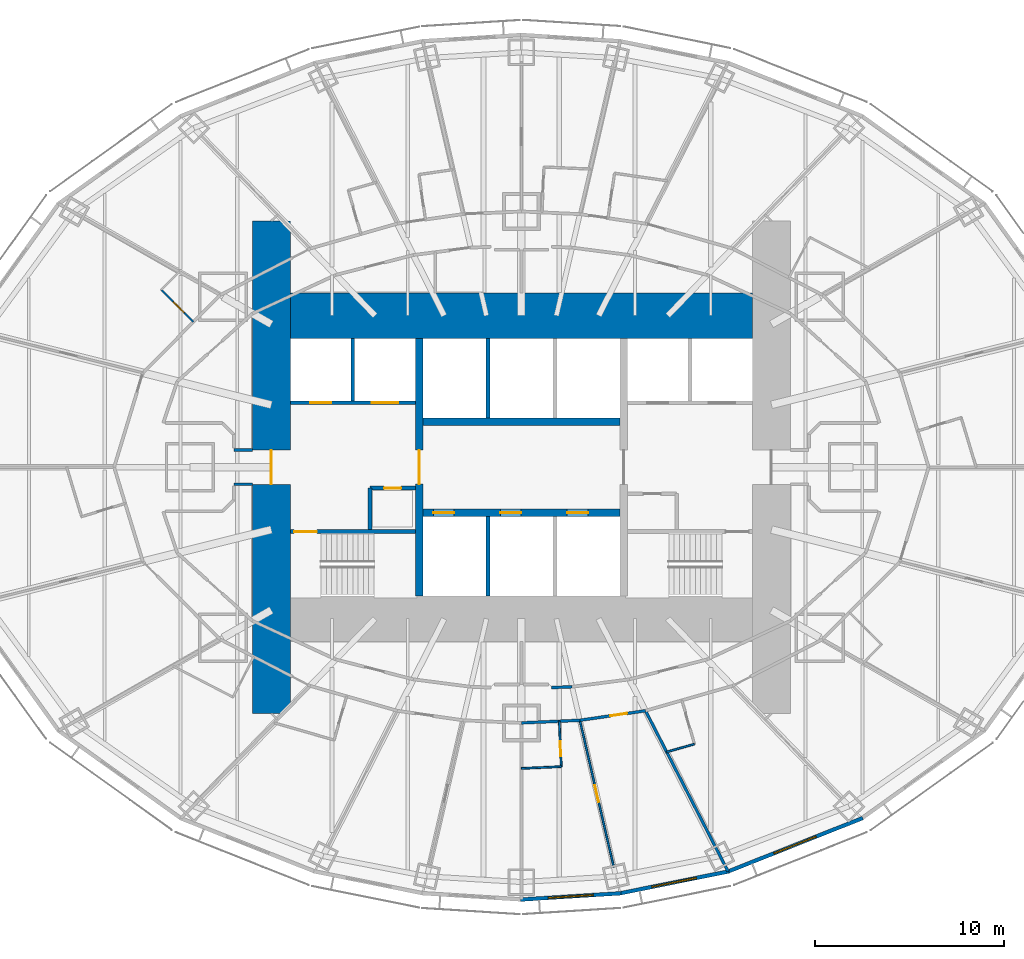
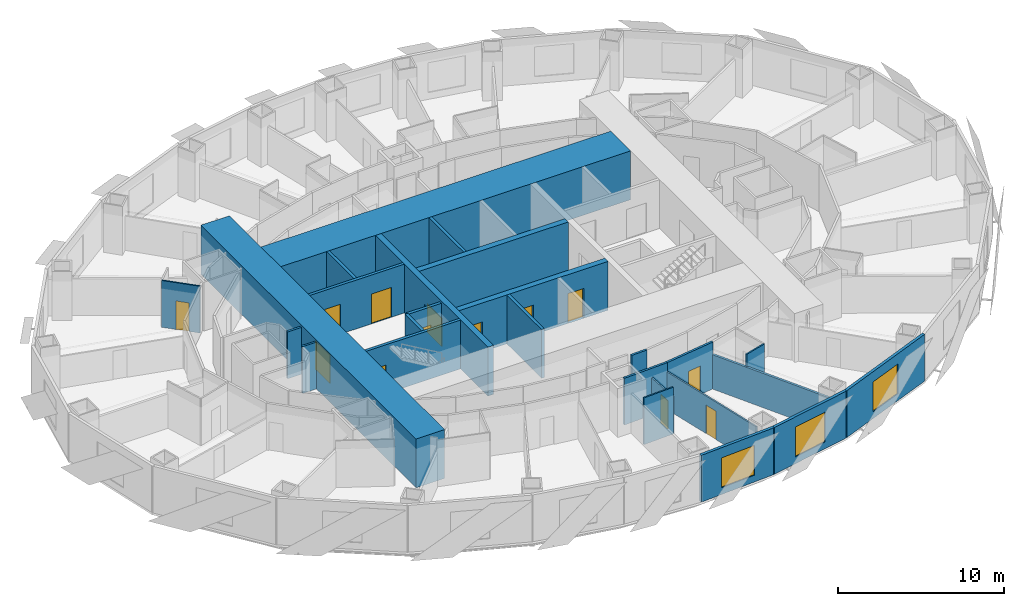
# One storey, part 6 of 15: 26 walls, 13 doors, 3 windows, 16 openings.
"""IFC4 building model written with IfcOpenShell, lengths in metres."""

from ifc_helpers import new_model, si_unit, direction, frame, frame_2d, origin, place, context, subcontext, project, spatial, rectangle, extrude, material, layer, layer_set, type_object, element, fill, save


model = new_model("IFC4")

# Units and contexts
model_context = context("Model", 3, precision=1e-05, world=origin(), true_north=direction((0.0, 1.0)))
body_context = subcontext(model_context, "Body", "Model", "MODEL_VIEW")
ifc_project = project(units=[si_unit("LENGTHUNIT", "METRE"), si_unit("AREAUNIT", "SQUARE_METRE"), si_unit("VOLUMEUNIT", "CUBIC_METRE"), si_unit("PLANEANGLEUNIT", "RADIAN"), si_unit("MASSUNIT", "GRAM", prefix="KILO")], contexts=[model_context])

# Site, building, storey
site_placement = place(None, origin())
site = spatial("IfcSite", under=ifc_project, at=site_placement, CompositionType="ELEMENT")
building_placement = place(site_placement, origin())
building = spatial("IfcBuilding", under=site, at=building_placement, Name="Lantaw Convention Tower", CompositionType="ELEMENT")
storey_placement = place(building_placement, frame((0.0, 0.0, 51.39990234375)))
storey = spatial("IfcBuildingStorey", under=building, at=storey_placement, Name="L10", CompositionType="ELEMENT", Elevation=51.39990234375)

# Wall, opening, door
ifc_material_1 = material(Name="Moisture resistant gypsum board on steel studs", Category="steel")
ifc_layer_1 = layer(ifc_material_1, 0.10009765625)
ifc_layer_set_1 = layer_set([ifc_layer_1], Name="Bathroom wall 100")
wall_type_1 = type_object("IfcWallType", Name="Bathroom wall 100", PredefinedType="PARTITIONING", material=ifc_layer_set_1)
wall_1_placement = place(storey_placement, frame((-17.311279296875, 7.668212890625, 0.0), z_axis=(0.0, 0.0, 1.0), x_axis=(-0.709138392716, 0.705069315724, 0.0)))
wall_1 = element("IfcWall", 1, at=wall_1_placement, inside=storey, type_object=wall_type_1, Name="Bathroom wall 100", PredefinedType="PARTITIONING", context=body_context, shape_type="SweptSolid", body=[
    extrude(rectangle(XDim=2.39990234375, YDim=0.10009765625, at=frame_2d((1.199951171875, 0.0))), origin(), (0.0, 0.0, 1.0), 3.4501953125),
])
opening_1_placement = place(wall_1_placement, frame((0.699951171875, 0.0, 0.0)))
opening_1 = element("IfcOpeningElement", 2, at=opening_1_placement, cuts=wall_1, Name="Opening L10.41", PredefinedType="OPENING", context=body_context, shape_type="SweptSolid", body=[
    extrude(rectangle(XDim=0.800048828125, YDim=2.10009765625, at=frame_2d((0.39990234375, 1.050048828125))), frame((0.0, 0.06005859375, 0.0), z_axis=(0.0, -1.0, 0.0), x_axis=(1.0, 0.0, 0.0)), (0.0, 0.0, 1.0), 0.1201171875),
])
ifc_material_2 = material(Name="Timber", Category="wood")
door_type_1 = type_object("IfcDoorType", Name="Bathroom door 800", OperationType="SINGLE_SWING_LEFT", PredefinedType="DOOR", material=ifc_material_2)
door_1_placement = place(opening_1_placement, origin())
door_1 = element("IfcDoor", 3, at=door_1_placement, inside=storey, type_object=door_type_1, Name="Bathroom door", OperationType="SINGLE_SWING_LEFT", OverallHeight=2.10009765625, OverallWidth=0.800048828125, PredefinedType="DOOR", context=body_context, shape_type="SweptSolid", body=[
    extrude(rectangle(XDim=0.800048828125, YDim=2.10009765625, at=frame_2d((0.39990234375, 1.050048828125))), frame((0.0, 0.02490234375, 0.0), z_axis=(0.0, -1.0, 0.0), x_axis=(1.0, 0.0, 0.0)), (0.0, 0.0, 1.0), 0.050048828125),
])
fill(opening_1, door_1)

wall_2_placement = place(storey_placement, frame((1.998046875, -13.409423828125, 0.0), z_axis=(0.0, 0.0, 1.0), x_axis=(0.045163115153, -0.998979625933, 0.0)))
wall_2 = element("IfcWall", 4, at=wall_2_placement, inside=storey, type_object=wall_type_1, Name="Bathroom wall 100", PredefinedType="PARTITIONING", context=body_context, shape_type="SweptSolid", body=[
    extrude(rectangle(XDim=2.400146484375, YDim=0.10009765625, at=frame_2d((1.2001953125, 0.0))), origin(), (0.0, 0.0, 1.0), 2.7490234375),
])
opening_2_placement = place(wall_2_placement, frame((1.050048828125, 0.0, 0.0)))
opening_2 = element("IfcOpeningElement", 5, at=opening_2_placement, cuts=wall_2, Name="Opening L10.53", PredefinedType="OPENING", context=body_context, shape_type="SweptSolid", body=[
    extrude(rectangle(XDim=0.800048828125, YDim=2.10009765625, at=frame_2d((0.39990234375, 1.050048828125))), frame((0.0, 0.06005859375, 0.0), z_axis=(0.0, -1.0, 0.0), x_axis=(1.0, 0.0, 0.0)), (0.0, 0.0, 1.0), 0.1201171875),
])
door_2_placement = place(opening_2_placement, origin())
door_2 = element("IfcDoor", 6, at=door_2_placement, inside=storey, type_object=door_type_1, Name="Bathroom door", OperationType="SINGLE_SWING_LEFT", OverallHeight=2.10009765625, OverallWidth=0.800048828125, PredefinedType="DOOR", context=body_context, shape_type="SweptSolid", body=[
    extrude(rectangle(XDim=0.800048828125, YDim=2.10009765625, at=frame_2d((0.39990234375, 1.050048828125))), frame((0.0, 0.02490234375, 0.0), z_axis=(0.0, -1.0, 0.0), x_axis=(1.0, 0.0, 0.0)), (0.0, 0.0, 1.0), 0.050048828125),
])
fill(opening_2, door_2)

# Walls
wall_3_placement = place(storey_placement, frame((2.1064453125, -15.80712890625, 0.0), z_axis=(0.0, 0.0, 1.0), x_axis=(-0.998979967386, -0.045155561808, 0.0)))
element("IfcWall", 7, at=wall_3_placement, inside=storey, type_object=wall_type_1, Name="Bathroom wall 100", PredefinedType="PARTITIONING", context=body_context, shape_type="SweptSolid", body=[
    extrude(rectangle(XDim=2.108642578125, YDim=0.10009765625, at=frame_2d((1.05419921875, 0.0))), origin(), (0.0, 0.0, 1.0), 3.4501953125),
])
wall_4_placement = place(storey_placement, frame((9.13427734375, -14.615478515625, 0.0), z_axis=(0.0, 0.0, 1.0), x_axis=(-0.96145775668, -0.274952690695, 0.0)))
element("IfcWall", 8, at=wall_4_placement, inside=storey, type_object=wall_type_1, Name="Bathroom wall 100", PredefinedType="PARTITIONING", context=body_context, shape_type="SweptSolid", body=[
    extrude(rectangle(XDim=1.53173828125, YDim=0.10009765625, at=frame_2d((0.765869140625, 0.0))), origin(), (0.0, 0.0, 1.0), 3.4501953125),
])

# Wall, opening, door
ifc_material_3 = material(Name="Concrete C60/75", Category="concrete")
ifc_layer_2 = layer(ifc_material_3, 0.199951171875)
ifc_layer_set_2 = layer_set([ifc_layer_2], Name="Core wall 200")
wall_type_2 = type_object("IfcWallType", Name="Core wall 200", PredefinedType="SHEAR", material=ifc_layer_set_2)
wall_5_placement = place(storey_placement, frame((-5.60009765625, -3.39990234375, 0.0), z_axis=(0.0, 0.0, 1.0), x_axis=(-1.0, 0.0, 0.0)))
wall_5 = element("IfcWall", 9, at=wall_5_placement, inside=storey, type_object=wall_type_2, Name="Core wall WS", PredefinedType="SHEAR", context=body_context, shape_type="SweptSolid", body=[
    extrude(rectangle(XDim=6.599853515625, YDim=0.199951171875, at=frame_2d((3.2998046875, 0.0))), origin(), (0.0, 0.0, 1.0), 3.60009765625),
])
opening_3_placement = place(wall_5_placement, frame((5.199951171875, 0.0, 0.0)))
opening_3 = element("IfcOpeningElement", 10, at=opening_3_placement, cuts=wall_5, Name="Opening L10.06", PredefinedType="OPENING", context=body_context, shape_type="SweptSolid", body=[
    extrude(rectangle(XDim=1.199951171875, YDim=2.10009765625, at=frame_2d((0.60009765625, 1.050048828125))), frame((0.0, 0.10986328125, 0.0), z_axis=(0.0, -1.0, 0.0), x_axis=(1.0, 0.0, 0.0)), (0.0, 0.0, 1.0), 0.219970703125),
])
ifc_material_4 = material(Name="Steel, fire rated", Category="steel")
door_type_2 = type_object("IfcDoorType", Name="Stair door FD90", OperationType="SINGLE_SWING_RIGHT", PredefinedType="DOOR", material=ifc_material_4)
door_3_placement = place(opening_3_placement, origin())
door_3 = element("IfcDoor", 11, at=door_3_placement, inside=storey, type_object=door_type_2, Name="Exit stair door", OperationType="SINGLE_SWING_RIGHT", OverallHeight=2.10009765625, OverallWidth=1.199951171875, PredefinedType="DOOR", context=body_context, shape_type="SweptSolid", body=[
    extrude(rectangle(XDim=1.199951171875, YDim=2.10009765625, at=frame_2d((0.60009765625, 1.050048828125))), frame((0.0, 0.02490234375, 0.0), z_axis=(0.0, -1.0, 0.0), x_axis=(1.0, 0.0, 0.0)), (0.0, 0.0, 1.0), 0.050048828125),
])
fill(opening_3, door_3)

ifc_layer_3 = layer(ifc_material_3, 2.0)
ifc_layer_set_3 = layer_set([ifc_layer_3], Name="Core wall 2000")
wall_type_3 = type_object("IfcWallType", Name="Core wall 2000", PredefinedType="SHEAR", material=ifc_layer_set_3)
wall_6_placement = place(storey_placement, frame((-13.199951171875, 13.0, 0.0), z_axis=(0.0, 0.0, 1.0), x_axis=(0.0, -1.0, 0.0)))
wall_6 = element("IfcWall", 12, at=wall_6_placement, inside=storey, type_object=wall_type_3, Name="Core wall W", PredefinedType="SHEAR", context=body_context, shape_type="SweptSolid", body=[
    extrude(rectangle(XDim=26.0, YDim=2.0, at=frame_2d((13.0, 0.0))), origin(), (0.0, 0.0, 1.0), 3.60009765625),
])
opening_4_placement = place(wall_6_placement, frame((12.10009765625, 0.0, 0.0)))
opening_4 = element("IfcOpeningElement", 13, at=opening_4_placement, cuts=wall_6, Name="Opening L10.08", PredefinedType="OPENING", context=body_context, shape_type="SweptSolid", body=[
    extrude(rectangle(XDim=1.800048828125, YDim=2.10009765625, at=frame_2d((0.89990234375, 1.050048828125))), frame((0.0, 1.010009765625, 0.0), z_axis=(0.0, -1.0, 0.0), x_axis=(1.0, 0.0, 0.0)), (0.0, 0.0, 1.0), 2.02001953125),
])
door_type_3 = type_object("IfcDoorType", Name="Lobby double door FD90", OperationType="DOUBLE_DOOR_DOUBLE_SWING", PredefinedType="DOOR", material=ifc_material_4)
door_4_placement = place(opening_4_placement, origin())
door_4 = element("IfcDoor", 14, at=door_4_placement, inside=storey, type_object=door_type_3, Name="Firefighting lobby door", OperationType="DOUBLE_DOOR_DOUBLE_SWING", OverallHeight=2.10009765625, OverallWidth=1.800048828125, PredefinedType="DOOR", context=body_context, shape_type="SweptSolid", body=[
    extrude(rectangle(XDim=1.800048828125, YDim=2.10009765625, at=frame_2d((0.89990234375, 1.050048828125))), frame((0.0, 0.02490234375, 0.0), z_axis=(0.0, -1.0, 0.0), x_axis=(1.0, 0.0, 0.0)), (0.0, 0.0, 1.0), 0.050048828125),
])
fill(opening_4, door_4)

# Wall
ifc_layer_4 = layer(ifc_material_3, 2.39990234375)
ifc_layer_set_4 = layer_set([ifc_layer_4], Name="Core wall 2400")
wall_type_4 = type_object("IfcWallType", Name="Core wall 2400", PredefinedType="SHEAR", material=ifc_layer_set_4)
wall_7_placement = place(storey_placement, frame((12.199951171875, 8.0, 0.0), z_axis=(0.0, 0.0, 1.0), x_axis=(-1.0, 0.0, 0.0)))
element("IfcWall", 15, at=wall_7_placement, inside=storey, type_object=wall_type_4, Name="Core wall N", PredefinedType="SHEAR", context=body_context, shape_type="SweptSolid", body=[
    extrude(rectangle(XDim=24.39990234375, YDim=2.39990234375, at=frame_2d((12.199951171875, 0.0))), origin(), (0.0, 0.0, 1.0), 3.60009765625),
])

# Wall, opening, door
ifc_layer_5 = layer(ifc_material_3, 0.39990234375)
ifc_layer_set_5 = layer_set([ifc_layer_5], Name="Core wall 400")
wall_type_5 = type_object("IfcWallType", Name="Core wall 400", PredefinedType="SHEAR", material=ifc_layer_set_5)
wall_8_placement = place(storey_placement, frame((-5.39990234375, 6.800048828125, 0.0), z_axis=(0.0, 0.0, 1.0), x_axis=(0.0, -1.0, 0.0)))
wall_8 = element("IfcWall", 16, at=wall_8_placement, inside=storey, type_object=wall_type_5, Name="Core wall XW", PredefinedType="SHEAR", context=body_context, shape_type="SweptSolid", body=[
    extrude(rectangle(XDim=13.60009765625, YDim=0.39990234375, at=frame_2d((6.800048828125, 0.0))), origin(), (0.0, 0.0, 1.0), 3.60009765625),
])
opening_5_placement = place(wall_8_placement, frame((5.89990234375, 0.0, 0.0)))
opening_5 = element("IfcOpeningElement", 17, at=opening_5_placement, cuts=wall_8, Name="Opening L10.04", PredefinedType="OPENING", context=body_context, shape_type="SweptSolid", body=[
    extrude(rectangle(XDim=1.800048828125, YDim=2.10009765625, at=frame_2d((0.89990234375, 1.050048828125))), frame((0.0, 0.2099609375, 0.0), z_axis=(0.0, -1.0, 0.0), x_axis=(1.0, 0.0, 0.0)), (0.0, 0.0, 1.0), 0.419921875),
])
door_5_placement = place(opening_5_placement, origin())
door_5 = element("IfcDoor", 18, at=door_5_placement, inside=storey, type_object=door_type_3, Name="Lift lobby door", OperationType="DOUBLE_DOOR_DOUBLE_SWING", OverallHeight=2.10009765625, OverallWidth=1.800048828125, PredefinedType="DOOR", context=body_context, shape_type="SweptSolid", body=[
    extrude(rectangle(XDim=1.800048828125, YDim=2.10009765625, at=frame_2d((0.89990234375, 1.050048828125))), frame((0.0, 0.02490234375, 0.0), z_axis=(0.0, -1.0, 0.0), x_axis=(1.0, 0.0, 0.0)), (0.0, 0.0, 1.0), 0.050048828125),
])
fill(opening_5, door_5)

# Wall, openings, doors
wall_9_placement = place(storey_placement, frame((-5.199951171875, -2.39990234375, 0.0), z_axis=(0.0, 0.0, 1.0), x_axis=(1.0, 0.0, 0.0)))
wall_9 = element("IfcWall", 19, at=wall_9_placement, inside=storey, type_object=wall_type_5, Name="Core wall BS", PredefinedType="SHEAR", context=body_context, shape_type="SweptSolid", body=[
    extrude(rectangle(XDim=10.39990234375, YDim=0.39990234375, at=frame_2d((5.199951171875, 0.0))), origin(), (0.0, 0.0, 1.0), 3.60009765625),
])
opening_6_placement = place(wall_9_placement, frame((0.550048828125, 0.0, 0.0)))
opening_6 = element("IfcOpeningElement", 20, at=opening_6_placement, cuts=wall_9, Name="Opening L10.09", PredefinedType="OPENING", context=body_context, shape_type="SweptSolid", body=[
    extrude(rectangle(XDim=1.10009765625, YDim=2.199951171875, at=frame_2d((0.550048828125, 1.10009765625))), frame((0.0, 0.2099609375, 0.0), z_axis=(0.0, -1.0, 0.0), x_axis=(1.0, 0.0, 0.0)), (0.0, 0.0, 1.0), 0.419921875),
])
opening_7_placement = place(wall_9_placement, frame((4.083251953125, 0.0, 0.0)))
opening_7 = element("IfcOpeningElement", 21, at=opening_7_placement, cuts=wall_9, Name="Opening L10.10", PredefinedType="OPENING", context=body_context, shape_type="SweptSolid", body=[
    extrude(rectangle(XDim=1.10009765625, YDim=2.199951171875, at=frame_2d((0.550048828125, 1.10009765625))), frame((0.0, 0.2099609375, 0.0), z_axis=(0.0, -1.0, 0.0), x_axis=(1.0, 0.0, 0.0)), (0.0, 0.0, 1.0), 0.419921875),
])
opening_8_placement = place(wall_9_placement, frame((7.61669921875, 0.0, 0.0)))
opening_8 = element("IfcOpeningElement", 22, at=opening_8_placement, cuts=wall_9, Name="Opening L10.11", PredefinedType="OPENING", context=body_context, shape_type="SweptSolid", body=[
    extrude(rectangle(XDim=1.10009765625, YDim=2.199951171875, at=frame_2d((0.550048828125, 1.10009765625))), frame((0.0, 0.2099609375, 0.0), z_axis=(0.0, -1.0, 0.0), x_axis=(1.0, 0.0, 0.0)), (0.0, 0.0, 1.0), 0.419921875),
])
ifc_material_5 = material(Name="Stainless steel", Category="steel")
door_type_4 = type_object("IfcDoorType", Name="Lift landing door 1100", OperationType="DOUBLE_DOOR_SLIDING", PredefinedType="DOOR", material=ifc_material_5)
door_6_placement = place(opening_6_placement, origin())
door_6 = element("IfcDoor", 23, at=door_6_placement, inside=storey, type_object=door_type_4, Name="Lift landing door H1", OperationType="DOUBLE_DOOR_SLIDING", OverallHeight=2.199951171875, OverallWidth=1.10009765625, PredefinedType="DOOR", context=body_context, shape_type="SweptSolid", body=[
    extrude(rectangle(XDim=1.10009765625, YDim=2.199951171875, at=frame_2d((0.550048828125, 1.10009765625))), frame((0.0, 0.02490234375, 0.0), z_axis=(0.0, -1.0, 0.0), x_axis=(1.0, 0.0, 0.0)), (0.0, 0.0, 1.0), 0.050048828125),
])
fill(opening_6, door_6)
door_7_placement = place(opening_7_placement, origin())
door_7 = element("IfcDoor", 24, at=door_7_placement, inside=storey, type_object=door_type_4, Name="Lift landing door H2", OperationType="DOUBLE_DOOR_SLIDING", OverallHeight=2.199951171875, OverallWidth=1.10009765625, PredefinedType="DOOR", context=body_context, shape_type="SweptSolid", body=[
    extrude(rectangle(XDim=1.10009765625, YDim=2.199951171875, at=frame_2d((0.550048828125, 1.10009765625))), frame((0.0, 0.02490234375, 0.0), z_axis=(0.0, -1.0, 0.0), x_axis=(1.0, 0.0, 0.0)), (0.0, 0.0, 1.0), 0.050048828125),
])
fill(opening_7, door_7)
door_8_placement = place(opening_8_placement, origin())
door_8 = element("IfcDoor", 25, at=door_8_placement, inside=storey, type_object=door_type_4, Name="Lift landing door H3", OperationType="DOUBLE_DOOR_SLIDING", OverallHeight=2.199951171875, OverallWidth=1.10009765625, PredefinedType="DOOR", context=body_context, shape_type="SweptSolid", body=[
    extrude(rectangle(XDim=1.10009765625, YDim=2.199951171875, at=frame_2d((0.550048828125, 1.10009765625))), frame((0.0, 0.02490234375, 0.0), z_axis=(0.0, -1.0, 0.0), x_axis=(1.0, 0.0, 0.0)), (0.0, 0.0, 1.0), 0.050048828125),
])
fill(opening_8, door_8)

# Walls
wall_10_placement = place(storey_placement, frame((5.199951171875, 2.39990234375, 0.0), z_axis=(0.0, 0.0, 1.0), x_axis=(-1.0, 0.0, 0.0)))
element("IfcWall", 26, at=wall_10_placement, inside=storey, type_object=wall_type_5, Name="Core wall BN", PredefinedType="SHEAR", context=body_context, shape_type="SweptSolid", body=[
    extrude(rectangle(XDim=10.39990234375, YDim=0.39990234375, at=frame_2d((5.199951171875, 0.0))), origin(), (0.0, 0.0, 1.0), 3.60009765625),
])
ifc_material_6 = material(Name="Gypsum board on steel studs, fire rated", Category="steel")
ifc_layer_6 = layer(ifc_material_6, 0.14990234375)
ifc_layer_set_6 = layer_set([ifc_layer_6], Name="Corridor wall 150 EI 60")
wall_type_6 = type_object("IfcWallType", Name="Corridor wall 150 EI 60", PredefinedType="PARTITIONING", material=ifc_layer_set_6)
wall_11_placement = place(storey_placement, frame((0.0, -13.5, 0.0), z_axis=(0.0, 0.0, 1.0), x_axis=(0.998976675711, 0.045228325036, 0.0)))
element("IfcWall", 27, at=wall_11_placement, inside=storey, type_object=wall_type_6, Name="Corridor wall 150", PredefinedType="PARTITIONING", context=body_context, shape_type="SweptSolid", body=[
    extrude(rectangle(XDim=3.087646484375, YDim=0.14990234375, at=frame_2d((1.5439453125, 0.0))), origin(), (0.0, 0.0, 1.0), 3.4501953125),
])

# Wall, opening, door
wall_12_placement = place(storey_placement, frame((3.08447265625, -13.3603515625, 0.0), z_axis=(0.0, 0.0, 1.0), x_axis=(0.989661745886, 0.143421158583, 0.0)))
wall_12 = element("IfcWall", 28, at=wall_12_placement, inside=storey, type_object=wall_type_6, Name="Corridor wall 150", PredefinedType="PARTITIONING", context=body_context, shape_type="SweptSolid", body=[
    extrude(rectangle(XDim=3.503173828125, YDim=0.14990234375, at=frame_2d((1.75146484375, 0.0))), origin(), (0.0, 0.0, 1.0), 3.4501953125),
])
opening_9_placement = place(wall_12_placement, frame((1.61572265625, 0.0, 0.0)))
opening_9 = element("IfcOpeningElement", 29, at=opening_9_placement, cuts=wall_12, Name="Opening L10.55", PredefinedType="OPENING", context=body_context, shape_type="SweptSolid", body=[
    extrude(rectangle(XDim=0.89990234375, YDim=2.10009765625, at=frame_2d((0.449951171875, 1.050048828125))), frame((0.0, 0.0849609375, 0.0), z_axis=(0.0, -1.0, 0.0), x_axis=(1.0, 0.0, 0.0)), (0.0, 0.0, 1.0), 0.169921875),
])
door_type_5 = type_object("IfcDoorType", Name="Guest room entrance door FD30S", OperationType="SINGLE_SWING_LEFT", PredefinedType="DOOR", material=ifc_material_4)
door_9_placement = place(opening_9_placement, origin())
door_9 = element("IfcDoor", 30, at=door_9_placement, inside=storey, type_object=door_type_5, Name="Suite entrance door", OperationType="SINGLE_SWING_LEFT", OverallHeight=2.10009765625, OverallWidth=0.89990234375, PredefinedType="DOOR", context=body_context, shape_type="SweptSolid", body=[
    extrude(rectangle(XDim=0.89990234375, YDim=2.10009765625, at=frame_2d((0.449951171875, 1.050048828125))), frame((0.0, 0.02490234375, 0.0), z_axis=(0.0, -1.0, 0.0), x_axis=(1.0, 0.0, 0.0)), (0.0, 0.0, 1.0), 0.050048828125),
])
fill(opening_9, door_9)

# Walls
for number, where, z_axis, x_axis, name in (
    (31, (-14.199951171875, -0.89990234375, 0.0), (0.0, 0.0, 1.0), (-1.0, 0.0, 0.0), "Corridor wall 150"),
    (32, (-14.199951171875, 0.89990234375, 0.0), (0.0, 0.0, 1.0), (-1.0, 0.0, 0.0), "Corridor wall 150"),
):
    element("IfcWall", number, at=place(storey_placement, frame(where, z_axis=z_axis, x_axis=x_axis)), inside=storey, type_object=wall_type_6, Name=name, PredefinedType="PARTITIONING", context=body_context, shape_type="SweptSolid", body=[
        extrude(rectangle(XDim=0.965087890625, YDim=0.14990234375, at=frame_2d((0.482421875, 0.0))), origin(), (0.0, 0.0, 1.0), 3.4501953125),
    ])
wall_13_placement = place(storey_placement, frame((1.598876953125, -11.63525390625, 0.0), z_axis=(0.0, 0.0, 1.0), x_axis=(0.999178004727, 0.040537820228, 0.0)))
element("IfcWall", 33, at=wall_13_placement, inside=storey, type_object=wall_type_6, Name="Corridor wall 150", PredefinedType="PARTITIONING", context=body_context, shape_type="SweptSolid", body=[
    extrude(rectangle(XDim=1.078125, YDim=0.14990234375, at=frame_2d((0.5390625, 0.0))), origin(), (0.0, 0.0, 1.0), 3.4501953125),
])

# Wall, opening, window
ifc_material_7 = material(Name="Insulated aluminium panel on steel frame", Category="steel")
ifc_layer_7 = layer(ifc_material_7, 0.199951171875)
ifc_layer_set_7 = layer_set([ifc_layer_7], Name="External wall 200")
wall_type_7 = type_object("IfcWallType", Name="External wall 200", PredefinedType="SOLIDWALL", material=ifc_layer_set_7)
wall_14_placement = place(storey_placement, frame((-0.041015625, -22.8271484375, 0.0), z_axis=(0.0, 0.0, 1.0), x_axis=(0.998018582375, 0.062919863585, 0.0)))
wall_14 = element("IfcWall", 34, at=wall_14_placement, inside=storey, type_object=wall_type_7, Name="Facade panel wall", PredefinedType="SOLIDWALL", context=body_context, shape_type="SweptSolid", body=[
    extrude(rectangle(XDim=5.30419921875, YDim=0.199951171875, at=frame_2d((2.652099609375, 0.0))), origin(), (0.0, 0.0, 1.0), 3.4501953125),
])
opening_10_placement = place(wall_14_placement, frame((1.4521484375, 0.0, 0.5)))
opening_10 = element("IfcOpeningElement", 35, at=opening_10_placement, cuts=wall_14, Name="Opening W1", PredefinedType="OPENING", context=body_context, shape_type="SweptSolid", body=[
    extrude(rectangle(XDim=2.39990234375, YDim=2.199951171875, at=frame_2d((1.199951171875, 1.10009765625))), frame((0.0, 0.10986328125, 0.0), z_axis=(0.0, -1.0, 0.0), x_axis=(1.0, 0.0, 0.0)), (0.0, 0.0, 1.0), 0.219970703125),
])
ifc_material_8 = material(Name="Aluminium frame, clear insulating glass", Category="aluminium")
window_type = type_object("IfcWindowType", Name="Guest room window 2400x2200", PartitioningType="SINGLE_PANEL", PredefinedType="WINDOW", material=ifc_material_8)
window_1_placement = place(opening_10_placement, origin())
window_1 = element("IfcWindow", 36, at=window_1_placement, inside=storey, type_object=window_type, Name="Guest room window", OverallHeight=2.199951171875, OverallWidth=2.39990234375, PartitioningType="SINGLE_PANEL", PredefinedType="WINDOW", context=body_context, shape_type="SweptSolid", body=[
    extrude(rectangle(XDim=2.39990234375, YDim=2.199951171875, at=frame_2d((1.199951171875, 1.10009765625))), frame((0.0, 0.030029296875, 0.0), z_axis=(0.0, -1.0, 0.0), x_axis=(1.0, 0.0, 0.0)), (0.0, 0.0, 1.0), 0.06005859375),
])
fill(opening_10, window_1)

wall_15_placement = place(storey_placement, frame((5.169677734375, -22.504150390625, 0.0), z_axis=(0.0, 0.0, 1.0), x_axis=(0.980251657452, 0.197754110105, 0.0)))
wall_15 = element("IfcWall", 37, at=wall_15_placement, inside=storey, type_object=wall_type_7, Name="Facade panel wall", PredefinedType="SOLIDWALL", context=body_context, shape_type="SweptSolid", body=[
    extrude(rectangle(XDim=5.90380859375, YDim=0.199951171875, at=frame_2d((2.951904296875, 0.0))), origin(), (0.0, 0.0, 1.0), 3.4501953125),
])
opening_11_placement = place(wall_15_placement, frame((1.751708984375, 0.0, 0.5)))
opening_11 = element("IfcOpeningElement", 38, at=opening_11_placement, cuts=wall_15, Name="Opening W1", PredefinedType="OPENING", context=body_context, shape_type="SweptSolid", body=[
    extrude(rectangle(XDim=2.39990234375, YDim=2.199951171875, at=frame_2d((1.199951171875, 1.10009765625))), frame((0.0, 0.10986328125, 0.0), z_axis=(0.0, -1.0, 0.0), x_axis=(1.0, 0.0, 0.0)), (0.0, 0.0, 1.0), 0.219970703125),
])
window_2_placement = place(opening_11_placement, origin())
window_2 = element("IfcWindow", 39, at=window_2_placement, inside=storey, type_object=window_type, Name="Guest room window", OverallHeight=2.199951171875, OverallWidth=2.39990234375, PartitioningType="SINGLE_PANEL", PredefinedType="WINDOW", context=body_context, shape_type="SweptSolid", body=[
    extrude(rectangle(XDim=2.39990234375, YDim=2.199951171875, at=frame_2d((1.199951171875, 1.10009765625))), frame((0.0, 0.030029296875, 0.0), z_axis=(0.0, -1.0, 0.0), x_axis=(1.0, 0.0, 0.0)), (0.0, 0.0, 1.0), 0.06005859375),
])
fill(opening_11, window_2)

wall_16_placement = place(storey_placement, frame((10.869384765625, -21.362548828125, 0.0), z_axis=(0.0, 0.0, 1.0), x_axis=(0.929358351251, 0.369178892895, 0.0)))
wall_16 = element("IfcWall", 40, at=wall_16_placement, inside=storey, type_object=wall_type_7, Name="Facade panel wall", PredefinedType="SOLIDWALL", context=body_context, shape_type="SweptSolid", body=[
    extrude(rectangle(XDim=7.6923828125, YDim=0.199951171875, at=frame_2d((3.84619140625, 0.0))), origin(), (0.0, 0.0, 1.0), 3.4501953125),
])
opening_12_placement = place(wall_16_placement, frame((2.64599609375, 0.0, 0.5)))
opening_12 = element("IfcOpeningElement", 41, at=opening_12_placement, cuts=wall_16, Name="Opening W1", PredefinedType="OPENING", context=body_context, shape_type="SweptSolid", body=[
    extrude(rectangle(XDim=2.39990234375, YDim=2.199951171875, at=frame_2d((1.199951171875, 1.10009765625))), frame((0.0, 0.10986328125, 0.0), z_axis=(0.0, -1.0, 0.0), x_axis=(1.0, 0.0, 0.0)), (0.0, 0.0, 1.0), 0.219970703125),
])
window_3_placement = place(opening_12_placement, origin())
window_3 = element("IfcWindow", 42, at=window_3_placement, inside=storey, type_object=window_type, Name="Guest room window", OverallHeight=2.199951171875, OverallWidth=2.39990234375, PartitioningType="SINGLE_PANEL", PredefinedType="WINDOW", context=body_context, shape_type="SweptSolid", body=[
    extrude(rectangle(XDim=2.39990234375, YDim=2.199951171875, at=frame_2d((1.199951171875, 1.10009765625))), frame((0.0, 0.030029296875, 0.0), z_axis=(0.0, -1.0, 0.0), x_axis=(1.0, 0.0, 0.0)), (0.0, 0.0, 1.0), 0.06005859375),
])
fill(opening_12, window_3)

# Wall
ifc_material_9 = material(Name="Gypsum board on steel studs, acoustic", Category="steel")
ifc_layer_8 = layer(ifc_material_9, 0.14990234375)
ifc_layer_set_8 = layer_set([ifc_layer_8], Name="Guest room party wall 150")
wall_type_8 = type_object("IfcWallType", Name="Guest room party wall 150", PredefinedType="PARTITIONING", material=ifc_layer_set_8)
wall_17_placement = place(storey_placement, frame((10.911865234375, -21.345703125, 0.0), z_axis=(0.0, 0.0, 1.0), x_axis=(-0.456950233066, 0.889492262193, 0.0)))
element("IfcWall", 43, at=wall_17_placement, inside=storey, type_object=wall_type_8, Name="Guest room party wall 150", PredefinedType="PARTITIONING", context=body_context, shape_type="SweptSolid", body=[
    extrude(rectangle(XDim=9.542236328125, YDim=0.14990234375, at=frame_2d((4.77099609375, 0.0))), origin(), (0.0, 0.0, 1.0), 2.528076171875),
])

# Wall, opening, door
ifc_material_10 = material(Name="Concrete blockwork, fire rated", Category="masonry")
ifc_layer_9 = layer(ifc_material_10, 0.199951171875)
ifc_layer_set_9 = layer_set([ifc_layer_9], Name="Plant room wall 200 EI 120")
wall_type_9 = type_object("IfcWallType", Name="Plant room wall 200 EI 120", PredefinedType="SOLIDWALL", material=ifc_layer_set_9)
wall_18_placement = place(storey_placement, frame((-5.60009765625, -1.10009765625, 0.0), z_axis=(0.0, 0.0, 1.0), x_axis=(-1.0, 0.0, 0.0)))
wall_18 = element("IfcWall", 44, at=wall_18_placement, inside=storey, type_object=wall_type_9, Name="Plant room wall 200", PredefinedType="SOLIDWALL", context=body_context, shape_type="SweptSolid", body=[
    extrude(rectangle(XDim=2.39990234375, YDim=0.199951171875, at=frame_2d((1.199951171875, 0.0))), origin(), (0.0, 0.0, 1.0), 3.4501953125),
])
opening_13_placement = place(wall_18_placement, frame((0.75, 0.0, 0.0)))
opening_13 = element("IfcOpeningElement", 45, at=opening_13_placement, cuts=wall_18, Name="Opening L10.01", PredefinedType="OPENING", context=body_context, shape_type="SweptSolid", body=[
    extrude(rectangle(XDim=0.89990234375, YDim=2.10009765625, at=frame_2d((0.449951171875, 1.050048828125))), frame((0.0, 0.10986328125, 0.0), z_axis=(0.0, -1.0, 0.0), x_axis=(1.0, 0.0, 0.0)), (0.0, 0.0, 1.0), 0.219970703125),
])
door_type_6 = type_object("IfcDoorType", Name="Service door 900 FD60", OperationType="SINGLE_SWING_LEFT", PredefinedType="DOOR", material=ifc_material_4)
door_10_placement = place(opening_13_placement, origin())
door_10 = element("IfcDoor", 46, at=door_10_placement, inside=storey, type_object=door_type_6, Name="Housekeeping pantry door", OperationType="SINGLE_SWING_LEFT", OverallHeight=2.10009765625, OverallWidth=0.89990234375, PredefinedType="DOOR", context=body_context, shape_type="SweptSolid", body=[
    extrude(rectangle(XDim=0.89990234375, YDim=2.10009765625, at=frame_2d((0.449951171875, 1.050048828125))), frame((0.0, 0.02490234375, 0.0), z_axis=(0.0, -1.0, 0.0), x_axis=(1.0, 0.0, 0.0)), (0.0, 0.0, 1.0), 0.050048828125),
])
fill(opening_13, door_10)

# Walls
wall_19_placement = place(storey_placement, frame((-8.0, -1.10009765625, 0.0), z_axis=(0.0, 0.0, 1.0), x_axis=(0.0, -1.0, 0.0)))
element("IfcWall", 47, at=wall_19_placement, inside=storey, type_object=wall_type_9, Name="Plant room wall 200", PredefinedType="SOLIDWALL", context=body_context, shape_type="SweptSolid", body=[
    extrude(rectangle(XDim=2.199951171875, YDim=0.199951171875, at=frame_2d((1.10009765625, 0.0))), origin(), (0.0, 0.0, 1.0), 3.4501953125),
])
ifc_layer_10 = layer(ifc_material_10, 0.199951171875)
ifc_layer_set_10 = layer_set([ifc_layer_10], Name="Shaft wall 200")
wall_type_10 = type_object("IfcWallType", Name="Shaft wall 200", PredefinedType="SOLIDWALL", material=ifc_layer_set_10)
wall_20_placement = place(storey_placement, frame((-1.7666015625, 2.60009765625, 0.0), z_axis=(0.0, 0.0, 1.0), x_axis=(0.0, 1.0, 0.0)))
element("IfcWall", 48, at=wall_20_placement, inside=storey, type_object=wall_type_10, Name="Shaft wall DN1", PredefinedType="SOLIDWALL", context=body_context, shape_type="SweptSolid", body=[
    extrude(rectangle(XDim=4.199951171875, YDim=0.199951171875, at=frame_2d((2.10009765625, 0.0))), origin(), (0.0, 0.0, 1.0), 3.60009765625),
])

# Wall, openings, doors
wall_21_placement = place(storey_placement, frame((-12.199951171875, 3.39990234375, 0.0), z_axis=(0.0, 0.0, 1.0), x_axis=(1.0, 0.0, 0.0)))
wall_21 = element("IfcWall", 49, at=wall_21_placement, inside=storey, type_object=wall_type_10, Name="Shaft wall WN", PredefinedType="SOLIDWALL", context=body_context, shape_type="SweptSolid", body=[
    extrude(rectangle(XDim=6.599853515625, YDim=0.199951171875, at=frame_2d((3.2998046875, 0.0))), origin(), (0.0, 0.0, 1.0), 3.60009765625),
])
opening_14_placement = place(wall_21_placement, frame((1.050048828125, 0.0, 0.0)))
opening_14 = element("IfcOpeningElement", 50, at=opening_14_placement, cuts=wall_21, Name="Opening L10.12", PredefinedType="OPENING", context=body_context, shape_type="SweptSolid", body=[
    extrude(rectangle(XDim=1.10009765625, YDim=2.199951171875, at=frame_2d((0.550048828125, 1.10009765625))), frame((0.0, 0.10986328125, 0.0), z_axis=(0.0, -1.0, 0.0), x_axis=(1.0, 0.0, 0.0)), (0.0, 0.0, 1.0), 0.219970703125),
])
opening_15_placement = place(wall_21_placement, frame((4.300048828125, 0.0, 0.0)))
opening_15 = element("IfcOpeningElement", 51, at=opening_15_placement, cuts=wall_21, Name="Opening L10.13", PredefinedType="OPENING", context=body_context, shape_type="SweptSolid", body=[
    extrude(rectangle(XDim=1.39990234375, YDim=2.199951171875, at=frame_2d((0.699951171875, 1.10009765625))), frame((0.0, 0.10986328125, 0.0), z_axis=(0.0, -1.0, 0.0), x_axis=(1.0, 0.0, 0.0)), (0.0, 0.0, 1.0), 0.219970703125),
])
door_11_placement = place(opening_14_placement, origin())
door_11 = element("IfcDoor", 52, at=door_11_placement, inside=storey, type_object=door_type_4, Name="Lift landing door FF1", OperationType="DOUBLE_DOOR_SLIDING", OverallHeight=2.199951171875, OverallWidth=1.10009765625, PredefinedType="DOOR", context=body_context, shape_type="SweptSolid", body=[
    extrude(rectangle(XDim=1.10009765625, YDim=2.199951171875, at=frame_2d((0.550048828125, 1.10009765625))), frame((0.0, 0.02490234375, 0.0), z_axis=(0.0, -1.0, 0.0), x_axis=(1.0, 0.0, 0.0)), (0.0, 0.0, 1.0), 0.050048828125),
])
fill(opening_14, door_11)
door_type_7 = type_object("IfcDoorType", Name="Lift landing door 1400", OperationType="DOUBLE_DOOR_SLIDING", PredefinedType="DOOR", material=ifc_material_5)
door_12_placement = place(opening_15_placement, origin())
door_12 = element("IfcDoor", 53, at=door_12_placement, inside=storey, type_object=door_type_7, Name="Lift landing door SV1", OperationType="DOUBLE_DOOR_SLIDING", OverallHeight=2.199951171875, OverallWidth=1.39990234375, PredefinedType="DOOR", context=body_context, shape_type="SweptSolid", body=[
    extrude(rectangle(XDim=1.39990234375, YDim=2.199951171875, at=frame_2d((0.699951171875, 1.10009765625))), frame((0.0, 0.02490234375, 0.0), z_axis=(0.0, -1.0, 0.0), x_axis=(1.0, 0.0, 0.0)), (0.0, 0.0, 1.0), 0.050048828125),
])
fill(opening_15, door_12)

# Walls
wall_22_placement = place(storey_placement, frame((-8.89990234375, 3.5, 0.0), z_axis=(0.0, 0.0, 1.0), x_axis=(0.0, 1.0, 0.0)))
element("IfcWall", 54, at=wall_22_placement, inside=storey, type_object=wall_type_10, Name="Shaft wall WD", PredefinedType="SOLIDWALL", context=body_context, shape_type="SweptSolid", body=[
    extrude(rectangle(XDim=3.300048828125, YDim=0.199951171875, at=frame_2d((1.64990234375, 0.0))), origin(), (0.0, 0.0, 1.0), 3.60009765625),
])
ifc_layer_11 = layer(ifc_material_10, 0.199951171875)
ifc_layer_set_11 = layer_set([ifc_layer_11], Name="Shaft wall 200 load-bearing")
wall_type_11 = type_object("IfcWallType", Name="Shaft wall 200 load-bearing", PredefinedType="SOLIDWALL", material=ifc_layer_set_11)
wall_23_placement = place(storey_placement, frame((-1.7666015625, -2.60009765625, 0.0), z_axis=(0.0, 0.0, 1.0), x_axis=(0.0, -1.0, 0.0)))
element("IfcWall", 55, at=wall_23_placement, inside=storey, type_object=wall_type_11, Name="Shaft wall DS1", PredefinedType="SOLIDWALL", context=body_context, shape_type="SweptSolid", body=[
    extrude(rectangle(XDim=4.199951171875, YDim=0.199951171875, at=frame_2d((2.10009765625, 0.0))), origin(), (0.0, 0.0, 1.0), 3.60009765625),
])

# Wall, opening, door
ifc_material_11 = material(Name="Gypsum board on steel studs", Category="steel")
ifc_layer_12 = layer(ifc_material_11, 0.10009765625)
ifc_layer_set_12 = layer_set([ifc_layer_12], Name="Suite partition 100")
wall_type_12 = type_object("IfcWallType", Name="Suite partition 100", PredefinedType="PARTITIONING", material=ifc_layer_set_12)
wall_24_placement = place(storey_placement, frame((4.873779296875, -21.11083984375, 0.0), z_axis=(0.0, 0.0, 1.0), x_axis=(-0.22494692831, 0.974371017346, 0.0)))
wall_24 = element("IfcWall", 56, at=wall_24_placement, inside=storey, type_object=wall_type_12, Name="Suite partition 100", PredefinedType="PARTITIONING", context=body_context, shape_type="SweptSolid", body=[
    extrude(rectangle(XDim=7.954345703125, YDim=0.10009765625, at=frame_2d((3.97705078125, 0.0))), origin(), (0.0, 0.0, 1.0), 2.766845703125),
])
opening_16_placement = place(wall_24_placement, frame((3.527099609375, 0.0, 0.0)))
opening_16 = element("IfcOpeningElement", 57, at=opening_16_placement, cuts=wall_24, Name="Opening L10.54", PredefinedType="OPENING", context=body_context, shape_type="SweptSolid", body=[
    extrude(rectangle(XDim=0.89990234375, YDim=2.10009765625, at=frame_2d((0.449951171875, 1.050048828125))), frame((0.0, 0.06005859375, 0.0), z_axis=(0.0, -1.0, 0.0), x_axis=(1.0, 0.0, 0.0)), (0.0, 0.0, 1.0), 0.1201171875),
])
door_type_8 = type_object("IfcDoorType", Name="Suite door 900", OperationType="SINGLE_SWING_LEFT", PredefinedType="DOOR", material=ifc_material_2)
door_13_placement = place(opening_16_placement, origin())
door_13 = element("IfcDoor", 58, at=door_13_placement, inside=storey, type_object=door_type_8, Name="Bedroom door", OperationType="SINGLE_SWING_LEFT", OverallHeight=2.10009765625, OverallWidth=0.89990234375, PredefinedType="DOOR", context=body_context, shape_type="SweptSolid", body=[
    extrude(rectangle(XDim=0.89990234375, YDim=2.10009765625, at=frame_2d((0.449951171875, 1.050048828125))), frame((0.0, 0.02490234375, 0.0), z_axis=(0.0, -1.0, 0.0), x_axis=(1.0, 0.0, 0.0)), (0.0, 0.0, 1.0), 0.050048828125),
])
fill(opening_16, door_13)

save(model, "model.ifc")
